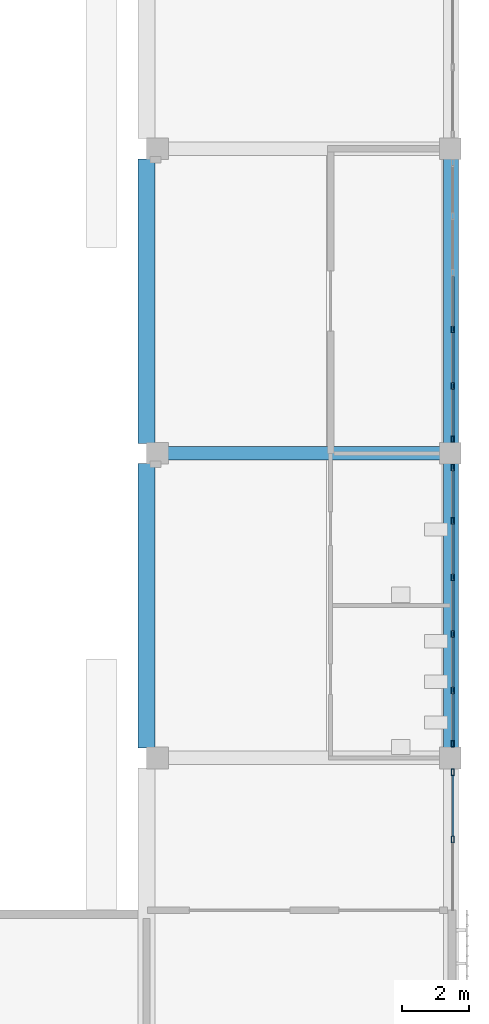
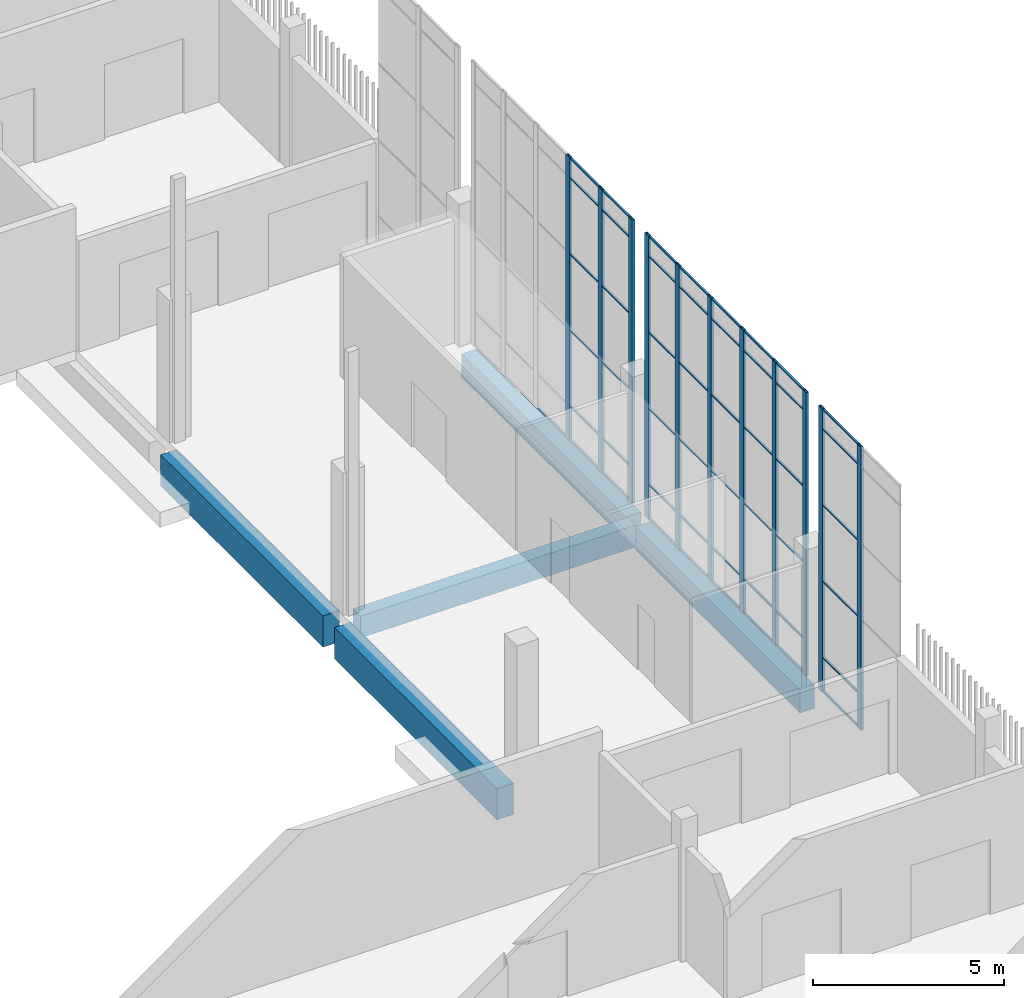
# One storey, part 26 of 91: 60 members, 5 beams, 3 elements without a shape of their own.
"""IFC4 building model written with IfcOpenShell, lengths in metres."""

from ifc_helpers import new_model, si_unit, direction, frame, origin, origin_2d, place, context, subcontext, project, spatial, rectangle, hollow_rectangle, extrude, material, layer, layer_set, material_profile, profile_set, type_object, element, aggregate, save


model = new_model("IFC4")

# Units and contexts
model_context = context("Model", 3, precision=1e-05, world=origin(), true_north=direction((0.0, 1.0)))
body_context = subcontext(model_context, "Body", "Model", "MODEL_VIEW")
ifc_project = project(units=[si_unit("LENGTHUNIT", "METRE"), si_unit("AREAUNIT", "SQUARE_METRE"), si_unit("VOLUMEUNIT", "CUBIC_METRE"), si_unit("PLANEANGLEUNIT", "RADIAN"), si_unit("MASSUNIT", "GRAM", prefix="KILO")], contexts=[model_context])

# Site, building, storey
site_placement = place(None, origin())
site = spatial("IfcSite", under=ifc_project, at=site_placement, CompositionType="ELEMENT")
building_placement = place(site_placement, origin())
building = spatial("IfcBuilding", under=site, at=building_placement, Name="Shirokan Park Arena", CompositionType="ELEMENT")
storey_placement = place(building_placement, frame((0.0, 0.0, 24.570068359375)))
storey = spatial("IfcBuildingStorey", under=building, at=storey_placement, Name="L05", CompositionType="ELEMENT", Elevation=24.570068359375)

# Curtain wall, members
ifc_material_1 = material(Name="Steel and glass curtain wall", Category="steel")
ifc_layer = layer(ifc_material_1, 0.199951171875)
ifc_layer_set = layer_set([ifc_layer], Name="Steel and glass curtain wall 200 mm")
curtain_wall_type = type_object("IfcCurtainWallType", Name="Curtain wall hall bay 200", PredefinedType="NOTDEFINED", material=ifc_layer_set)
curtain_wall_1_placement = place(storey_placement, origin())
curtain_wall_1 = element("IfcCurtainWall", 1, at=curtain_wall_1_placement, inside=storey, type_object=curtain_wall_type, Name="Curtain wall east bay 5 L05", PredefinedType="NOTDEFINED")
ifc_material_2 = material(Name="Steel S355", Category="steel")
ifc_material_profile_1 = material_profile(ifc_material_2, hollow_rectangle(XDim=0.080078125, YDim=0.199951171875, WallThickness=0.008056640625, at=origin_2d()), Name="RHS 200x80x8")
ifc_profile_set_1 = profile_set([ifc_material_profile_1], Name="Steel S355")
member_type_1 = type_object("IfcMemberType", Name="Mullion RHS 200x80x8", PredefinedType="MULLION", material=ifc_profile_set_1)
member_1_placement = place(storey_placement, frame((145.64990234375, 43.0625, 0.0), z_axis=(0.0, 0.0, 1.0), x_axis=(-1.0, 0.0, 0.0)))
member_1 = element("IfcMember", 2, at=member_1_placement, type_object=member_type_1, Name="CW5 mullion 2", PredefinedType="MULLION", context=body_context, shape_type="SweptSolid", body=[
    extrude(hollow_rectangle(XDim=0.080078125, YDim=0.199951171875, WallThickness=0.008056640625, at=origin_2d()), origin(), (0.0, 0.0, 1.0), 9.050048828125),
])
member_2_placement = place(storey_placement, frame((145.64990234375, 45.074951171875, 0.0), z_axis=(0.0, 0.0, 1.0), x_axis=(-1.0, 0.0, 0.0)))
member_2 = element("IfcMember", 3, at=member_2_placement, type_object=member_type_1, Name="CW5 mullion 3", PredefinedType="MULLION", context=body_context, shape_type="SweptSolid", body=[
    extrude(hollow_rectangle(XDim=0.080078125, YDim=0.199951171875, WallThickness=0.008056640625, at=origin_2d()), origin(), (0.0, 0.0, 1.0), 9.050048828125),
])

curtain_wall_2_placement = place(storey_placement, origin())
curtain_wall_2 = element("IfcCurtainWall", 4, at=curtain_wall_2_placement, inside=storey, type_object=curtain_wall_type, Name="Curtain wall east bay 6 L05", PredefinedType="NOTDEFINED")
member_3_placement = place(storey_placement, frame((145.64990234375, 45.925048828125, 0.0), z_axis=(0.0, 0.0, 1.0), x_axis=(-1.0, 0.0, 0.0)))
member_3 = element("IfcMember", 5, at=member_3_placement, type_object=member_type_1, Name="CW5 mullion 1", PredefinedType="MULLION", context=body_context, shape_type="SweptSolid", body=[
    extrude(hollow_rectangle(XDim=0.080078125, YDim=0.199951171875, WallThickness=0.008056640625, at=origin_2d()), origin(), (0.0, 0.0, 1.0), 9.050048828125),
])
member_4_placement = place(storey_placement, frame((145.64990234375, 47.514892578125, 0.0), z_axis=(0.0, 0.0, 1.0), x_axis=(-1.0, 0.0, 0.0)))
member_4 = element("IfcMember", 6, at=member_4_placement, type_object=member_type_1, Name="CW5 mullion 2", PredefinedType="MULLION", context=body_context, shape_type="SweptSolid", body=[
    extrude(hollow_rectangle(XDim=0.080078125, YDim=0.199951171875, WallThickness=0.008056640625, at=origin_2d()), origin(), (0.0, 0.0, 1.0), 9.050048828125),
])
member_5_placement = place(storey_placement, frame((145.64990234375, 49.205078125, 0.0), z_axis=(0.0, 0.0, 1.0), x_axis=(-1.0, 0.0, 0.0)))
member_5 = element("IfcMember", 7, at=member_5_placement, type_object=member_type_1, Name="CW5 mullion 3", PredefinedType="MULLION", context=body_context, shape_type="SweptSolid", body=[
    extrude(hollow_rectangle(XDim=0.080078125, YDim=0.199951171875, WallThickness=0.008056640625, at=origin_2d()), origin(), (0.0, 0.0, 1.0), 9.050048828125),
])
member_6_placement = place(storey_placement, frame((145.64990234375, 50.89501953125, 0.0), z_axis=(0.0, 0.0, 1.0), x_axis=(-1.0, 0.0, 0.0)))
member_6 = element("IfcMember", 8, at=member_6_placement, type_object=member_type_1, Name="CW5 mullion 4", PredefinedType="MULLION", context=body_context, shape_type="SweptSolid", body=[
    extrude(hollow_rectangle(XDim=0.080078125, YDim=0.199951171875, WallThickness=0.008056640625, at=origin_2d()), origin(), (0.0, 0.0, 1.0), 9.050048828125),
])
member_7_placement = place(storey_placement, frame((145.64990234375, 52.5849609375, 0.0), z_axis=(0.0, 0.0, 1.0), x_axis=(-1.0, 0.0, 0.0)))
member_7 = element("IfcMember", 9, at=member_7_placement, type_object=member_type_1, Name="CW5 mullion 5", PredefinedType="MULLION", context=body_context, shape_type="SweptSolid", body=[
    extrude(hollow_rectangle(XDim=0.080078125, YDim=0.199951171875, WallThickness=0.008056640625, at=origin_2d()), origin(), (0.0, 0.0, 1.0), 9.050048828125),
])
member_8_placement = place(storey_placement, frame((145.64990234375, 54.175048828125, 0.0), z_axis=(0.0, 0.0, 1.0), x_axis=(-1.0, 0.0, 0.0)))
member_8 = element("IfcMember", 10, at=member_8_placement, type_object=member_type_1, Name="CW5 mullion 6", PredefinedType="MULLION", context=body_context, shape_type="SweptSolid", body=[
    extrude(hollow_rectangle(XDim=0.080078125, YDim=0.199951171875, WallThickness=0.008056640625, at=origin_2d()), origin(), (0.0, 0.0, 1.0), 9.050048828125),
])

curtain_wall_3_placement = place(storey_placement, origin())
curtain_wall_3 = element("IfcCurtainWall", 11, at=curtain_wall_3_placement, inside=storey, type_object=curtain_wall_type, Name="Curtain wall east bay 7 L05", PredefinedType="NOTDEFINED")
member_9_placement = place(storey_placement, frame((145.64990234375, 55.02490234375, 0.0), z_axis=(0.0, 0.0, 1.0), x_axis=(-1.0, 0.0, 0.0)))
member_9 = element("IfcMember", 12, at=member_9_placement, type_object=member_type_1, Name="CW5 mullion 1", PredefinedType="MULLION", context=body_context, shape_type="SweptSolid", body=[
    extrude(hollow_rectangle(XDim=0.080078125, YDim=0.199951171875, WallThickness=0.008056640625, at=origin_2d()), origin(), (0.0, 0.0, 1.0), 9.050048828125),
])
member_10_placement = place(storey_placement, frame((145.64990234375, 56.614990234375, 0.0), z_axis=(0.0, 0.0, 1.0), x_axis=(-1.0, 0.0, 0.0)))
member_10 = element("IfcMember", 13, at=member_10_placement, type_object=member_type_1, Name="CW5 mullion 2", PredefinedType="MULLION", context=body_context, shape_type="SweptSolid", body=[
    extrude(hollow_rectangle(XDim=0.080078125, YDim=0.199951171875, WallThickness=0.008056640625, at=origin_2d()), origin(), (0.0, 0.0, 1.0), 9.050048828125),
])
member_11_placement = place(storey_placement, frame((145.64990234375, 58.304931640625, 0.0), z_axis=(0.0, 0.0, 1.0), x_axis=(-1.0, 0.0, 0.0)))
member_11 = element("IfcMember", 14, at=member_11_placement, type_object=member_type_1, Name="CW5 mullion 3", PredefinedType="MULLION", context=body_context, shape_type="SweptSolid", body=[
    extrude(hollow_rectangle(XDim=0.080078125, YDim=0.199951171875, WallThickness=0.008056640625, at=origin_2d()), origin(), (0.0, 0.0, 1.0), 9.050048828125),
])

# Beams
ifc_material_3 = material(Name="Concrete C35", Category="concrete")
ifc_material_profile_2 = material_profile(ifc_material_3, rectangle(XDim=0.39990234375, YDim=0.699951171875, at=origin_2d()), Name="400x700")
ifc_profile_set_2 = profile_set([ifc_material_profile_2], Name="Concrete C35")
beam_type_1 = type_object("IfcBeamType", Name="RC girder 400x700", PredefinedType="BEAM", material=ifc_profile_set_2)
beam_placement = place(storey_placement, frame((137.10009765625, 54.60009765625, -0.650146484375), z_axis=(1.0, 0.0, 0.0), x_axis=(0.0, 1.0, 0.0)))
element("IfcBeam", 15, at=beam_placement, inside=storey, type_object=beam_type_1, Name="Girder 16G-17G L05", PredefinedType="BEAM", context=body_context, shape_type="SweptSolid", body=[
    extrude(rectangle(XDim=0.39990234375, YDim=0.699951171875, at=origin_2d()), origin(), (0.0, 0.0, 1.0), 8.2998046875),
])
ifc_material_profile_3 = material_profile(ifc_material_3, rectangle(XDim=0.449951171875, YDim=0.75, at=origin_2d()), Name="450x750")
ifc_profile_set_3 = profile_set([ifc_material_profile_3], Name="Concrete C35")
beam_type_2 = type_object("IfcBeamType", Name="RC girder 450x750", PredefinedType="BEAM", material=ifc_profile_set_3)
for number, where, z_axis, x_axis, name in (
    (16, (145.60009765625, 45.75, -0.675048828125), (0.0, 1.0, 0.0), (-1.0, 0.0, 0.0), "Girder 17F-17G L05"),
    (17, (145.60009765625, 54.85009765625, -0.675048828125), (0.0, 1.0, 0.0), (-1.0, 0.0, 0.0), "Girder 17G-17H L05"),
):
    element("IfcBeam", number, at=place(storey_placement, frame(where, z_axis=z_axis, x_axis=x_axis)), inside=storey, type_object=beam_type_2, Name=name, PredefinedType="BEAM", context=body_context, shape_type="SweptSolid", body=[
        extrude(rectangle(XDim=0.449951171875, YDim=0.75, at=origin_2d()), origin(), (0.0, 0.0, 1.0), 8.599853515625),
    ])
ifc_material_profile_4 = material_profile(ifc_material_3, rectangle(XDim=0.5, YDim=1.0, at=origin_2d()), Name="500x1000")
ifc_profile_set_4 = profile_set([ifc_material_profile_4], Name="Concrete C35")
beam_type_3 = type_object("IfcBeamType", Name="RC girder 500x1000", PredefinedType="BEAM", material=ifc_profile_set_4)
for number, where, z_axis, x_axis, name in (
    (18, (136.5, 45.800048828125, -0.800048828125), (0.0, 1.0, 0.0), (-1.0, 0.0, 0.0), "Girder 16F-16G L05"),
    (19, (136.5, 54.900146484375, -0.800048828125), (0.0, 1.0, 0.0), (-1.0, 0.0, 0.0), "Girder 16G-16H L05"),
):
    element("IfcBeam", number, at=place(storey_placement, frame(where, z_axis=z_axis, x_axis=x_axis)), inside=storey, type_object=beam_type_3, Name=name, PredefinedType="BEAM", context=body_context, shape_type="SweptSolid", body=[
        extrude(rectangle(XDim=0.5, YDim=1.0, at=origin_2d()), origin(), (0.0, 0.0, 1.0), 8.499755859375),
    ])

# Member
ifc_material_profile_5 = material_profile(ifc_material_2, hollow_rectangle(XDim=0.06005859375, YDim=0.0400390625, WallThickness=0.00390625, at=origin_2d()), Name="RHS 60x40x4")
ifc_profile_set_5 = profile_set([ifc_material_profile_5], Name="Steel S355")
member_type_2 = type_object("IfcMemberType", Name="Transom RHS 60x40x4", PredefinedType="MULLION", material=ifc_profile_set_5)
member_12_placement = place(storey_placement, frame((145.64990234375, 43.16259765625, 0.02001953125), z_axis=(0.0, 1.0, 0.0), x_axis=(-1.0, 0.0, 0.0)))
member_12 = element("IfcMember", 20, at=member_12_placement, type_object=member_type_2, Name="CW5 transom 2.1", PredefinedType="MULLION", context=body_context, shape_type="SweptSolid", body=[
    extrude(hollow_rectangle(XDim=0.06005859375, YDim=0.0400390625, WallThickness=0.00390625, at=origin_2d()), origin(), (0.0, 0.0, 1.0), 1.8125),
])

member_13_placement = place(storey_placement, frame((145.64990234375, 43.16259765625, 1.099853515625), z_axis=(0.0, 1.0, 0.0), x_axis=(-1.0, 0.0, 0.0)))
member_13 = element("IfcMember", 21, at=member_13_placement, type_object=member_type_2, Name="CW5 transom 2.2", PredefinedType="MULLION", context=body_context, shape_type="SweptSolid", body=[
    extrude(hollow_rectangle(XDim=0.06005859375, YDim=0.0400390625, WallThickness=0.00390625, at=origin_2d()), origin(), (0.0, 0.0, 1.0), 1.8125),
])

member_14_placement = place(storey_placement, frame((145.64990234375, 43.16259765625, 3.533203125), z_axis=(0.0, 1.0, 0.0), x_axis=(-1.0, 0.0, 0.0)))
member_14 = element("IfcMember", 22, at=member_14_placement, type_object=member_type_2, Name="CW5 transom 2.3", PredefinedType="MULLION", context=body_context, shape_type="SweptSolid", body=[
    extrude(hollow_rectangle(XDim=0.06005859375, YDim=0.0400390625, WallThickness=0.00390625, at=origin_2d()), origin(), (0.0, 0.0, 1.0), 1.8125),
])

member_15_placement = place(storey_placement, frame((145.64990234375, 43.16259765625, 5.966552734375), z_axis=(0.0, 1.0, 0.0), x_axis=(-1.0, 0.0, 0.0)))
member_15 = element("IfcMember", 23, at=member_15_placement, type_object=member_type_2, Name="CW5 transom 2.4", PredefinedType="MULLION", context=body_context, shape_type="SweptSolid", body=[
    extrude(hollow_rectangle(XDim=0.06005859375, YDim=0.0400390625, WallThickness=0.00390625, at=origin_2d()), origin(), (0.0, 0.0, 1.0), 1.8125),
])

member_16_placement = place(storey_placement, frame((145.64990234375, 43.16259765625, 8.39990234375), z_axis=(0.0, 1.0, 0.0), x_axis=(-1.0, 0.0, 0.0)))
member_16 = element("IfcMember", 24, at=member_16_placement, type_object=member_type_2, Name="CW5 transom 2.5", PredefinedType="MULLION", context=body_context, shape_type="SweptSolid", body=[
    extrude(hollow_rectangle(XDim=0.06005859375, YDim=0.0400390625, WallThickness=0.00390625, at=origin_2d()), origin(), (0.0, 0.0, 1.0), 1.8125),
])

member_17_placement = place(storey_placement, frame((145.64990234375, 43.16259765625, 9.030029296875), z_axis=(0.0, 1.0, 0.0), x_axis=(-1.0, 0.0, 0.0)))
member_17 = element("IfcMember", 25, at=member_17_placement, type_object=member_type_2, Name="CW5 transom 2.6", PredefinedType="MULLION", context=body_context, shape_type="SweptSolid", body=[
    extrude(hollow_rectangle(XDim=0.06005859375, YDim=0.0400390625, WallThickness=0.00390625, at=origin_2d()), origin(), (0.0, 0.0, 1.0), 1.8125),
])

aggregate(curtain_wall_1, [member_1, member_2, member_12, member_13, member_14, member_15, member_16, member_17])

member_18_placement = place(storey_placement, frame((145.64990234375, 46.02490234375, 0.02001953125), z_axis=(0.0, 1.0, 0.0), x_axis=(-1.0, 0.0, 0.0)))
member_18 = element("IfcMember", 26, at=member_18_placement, type_object=member_type_2, Name="CW5 transom 1.1", PredefinedType="MULLION", context=body_context, shape_type="SweptSolid", body=[
    extrude(hollow_rectangle(XDim=0.06005859375, YDim=0.0400390625, WallThickness=0.00390625, at=origin_2d()), origin(), (0.0, 0.0, 1.0), 1.39013671875),
])

member_19_placement = place(storey_placement, frame((145.64990234375, 46.02490234375, 1.099853515625), z_axis=(0.0, 1.0, 0.0), x_axis=(-1.0, 0.0, 0.0)))
member_19 = element("IfcMember", 27, at=member_19_placement, type_object=member_type_2, Name="CW5 transom 1.2", PredefinedType="MULLION", context=body_context, shape_type="SweptSolid", body=[
    extrude(hollow_rectangle(XDim=0.06005859375, YDim=0.0400390625, WallThickness=0.00390625, at=origin_2d()), origin(), (0.0, 0.0, 1.0), 1.39013671875),
])

member_20_placement = place(storey_placement, frame((145.64990234375, 46.02490234375, 3.533203125), z_axis=(0.0, 1.0, 0.0), x_axis=(-1.0, 0.0, 0.0)))
member_20 = element("IfcMember", 28, at=member_20_placement, type_object=member_type_2, Name="CW5 transom 1.3", PredefinedType="MULLION", context=body_context, shape_type="SweptSolid", body=[
    extrude(hollow_rectangle(XDim=0.06005859375, YDim=0.0400390625, WallThickness=0.00390625, at=origin_2d()), origin(), (0.0, 0.0, 1.0), 1.39013671875),
])

member_21_placement = place(storey_placement, frame((145.64990234375, 46.02490234375, 5.966552734375), z_axis=(0.0, 1.0, 0.0), x_axis=(-1.0, 0.0, 0.0)))
member_21 = element("IfcMember", 29, at=member_21_placement, type_object=member_type_2, Name="CW5 transom 1.4", PredefinedType="MULLION", context=body_context, shape_type="SweptSolid", body=[
    extrude(hollow_rectangle(XDim=0.06005859375, YDim=0.0400390625, WallThickness=0.00390625, at=origin_2d()), origin(), (0.0, 0.0, 1.0), 1.39013671875),
])

member_22_placement = place(storey_placement, frame((145.64990234375, 46.02490234375, 8.39990234375), z_axis=(0.0, 1.0, 0.0), x_axis=(-1.0, 0.0, 0.0)))
member_22 = element("IfcMember", 30, at=member_22_placement, type_object=member_type_2, Name="CW5 transom 1.5", PredefinedType="MULLION", context=body_context, shape_type="SweptSolid", body=[
    extrude(hollow_rectangle(XDim=0.06005859375, YDim=0.0400390625, WallThickness=0.00390625, at=origin_2d()), origin(), (0.0, 0.0, 1.0), 1.39013671875),
])

member_23_placement = place(storey_placement, frame((145.64990234375, 46.02490234375, 9.030029296875), z_axis=(0.0, 1.0, 0.0), x_axis=(-1.0, 0.0, 0.0)))
member_23 = element("IfcMember", 31, at=member_23_placement, type_object=member_type_2, Name="CW5 transom 1.6", PredefinedType="MULLION", context=body_context, shape_type="SweptSolid", body=[
    extrude(hollow_rectangle(XDim=0.06005859375, YDim=0.0400390625, WallThickness=0.00390625, at=origin_2d()), origin(), (0.0, 0.0, 1.0), 1.39013671875),
])

member_24_placement = place(storey_placement, frame((145.64990234375, 47.614990234375, 0.02001953125), z_axis=(0.0, 1.0, 0.0), x_axis=(-1.0, 0.0, 0.0)))
member_24 = element("IfcMember", 32, at=member_24_placement, type_object=member_type_2, Name="CW5 transom 2.1", PredefinedType="MULLION", context=body_context, shape_type="SweptSolid", body=[
    extrude(hollow_rectangle(XDim=0.06005859375, YDim=0.0400390625, WallThickness=0.00390625, at=origin_2d()), origin(), (0.0, 0.0, 1.0), 1.489990234375),
])

member_25_placement = place(storey_placement, frame((145.64990234375, 47.614990234375, 1.099853515625), z_axis=(0.0, 1.0, 0.0), x_axis=(-1.0, 0.0, 0.0)))
member_25 = element("IfcMember", 33, at=member_25_placement, type_object=member_type_2, Name="CW5 transom 2.2", PredefinedType="MULLION", context=body_context, shape_type="SweptSolid", body=[
    extrude(hollow_rectangle(XDim=0.06005859375, YDim=0.0400390625, WallThickness=0.00390625, at=origin_2d()), origin(), (0.0, 0.0, 1.0), 1.489990234375),
])

member_26_placement = place(storey_placement, frame((145.64990234375, 47.614990234375, 3.533203125), z_axis=(0.0, 1.0, 0.0), x_axis=(-1.0, 0.0, 0.0)))
member_26 = element("IfcMember", 34, at=member_26_placement, type_object=member_type_2, Name="CW5 transom 2.3", PredefinedType="MULLION", context=body_context, shape_type="SweptSolid", body=[
    extrude(hollow_rectangle(XDim=0.06005859375, YDim=0.0400390625, WallThickness=0.00390625, at=origin_2d()), origin(), (0.0, 0.0, 1.0), 1.489990234375),
])

member_27_placement = place(storey_placement, frame((145.64990234375, 47.614990234375, 5.966552734375), z_axis=(0.0, 1.0, 0.0), x_axis=(-1.0, 0.0, 0.0)))
member_27 = element("IfcMember", 35, at=member_27_placement, type_object=member_type_2, Name="CW5 transom 2.4", PredefinedType="MULLION", context=body_context, shape_type="SweptSolid", body=[
    extrude(hollow_rectangle(XDim=0.06005859375, YDim=0.0400390625, WallThickness=0.00390625, at=origin_2d()), origin(), (0.0, 0.0, 1.0), 1.489990234375),
])

member_28_placement = place(storey_placement, frame((145.64990234375, 47.614990234375, 8.39990234375), z_axis=(0.0, 1.0, 0.0), x_axis=(-1.0, 0.0, 0.0)))
member_28 = element("IfcMember", 36, at=member_28_placement, type_object=member_type_2, Name="CW5 transom 2.5", PredefinedType="MULLION", context=body_context, shape_type="SweptSolid", body=[
    extrude(hollow_rectangle(XDim=0.06005859375, YDim=0.0400390625, WallThickness=0.00390625, at=origin_2d()), origin(), (0.0, 0.0, 1.0), 1.489990234375),
])

member_29_placement = place(storey_placement, frame((145.64990234375, 47.614990234375, 9.030029296875), z_axis=(0.0, 1.0, 0.0), x_axis=(-1.0, 0.0, 0.0)))
member_29 = element("IfcMember", 37, at=member_29_placement, type_object=member_type_2, Name="CW5 transom 2.6", PredefinedType="MULLION", context=body_context, shape_type="SweptSolid", body=[
    extrude(hollow_rectangle(XDim=0.06005859375, YDim=0.0400390625, WallThickness=0.00390625, at=origin_2d()), origin(), (0.0, 0.0, 1.0), 1.489990234375),
])

member_30_placement = place(storey_placement, frame((145.64990234375, 49.304931640625, 0.02001953125), z_axis=(0.0, 1.0, 0.0), x_axis=(-1.0, 0.0, 0.0)))
member_30 = element("IfcMember", 38, at=member_30_placement, type_object=member_type_2, Name="CW5 transom 3.1", PredefinedType="MULLION", context=body_context, shape_type="SweptSolid", body=[
    extrude(hollow_rectangle(XDim=0.06005859375, YDim=0.0400390625, WallThickness=0.00390625, at=origin_2d()), origin(), (0.0, 0.0, 1.0), 1.489990234375),
])

member_31_placement = place(storey_placement, frame((145.64990234375, 49.304931640625, 1.099853515625), z_axis=(0.0, 1.0, 0.0), x_axis=(-1.0, 0.0, 0.0)))
member_31 = element("IfcMember", 39, at=member_31_placement, type_object=member_type_2, Name="CW5 transom 3.2", PredefinedType="MULLION", context=body_context, shape_type="SweptSolid", body=[
    extrude(hollow_rectangle(XDim=0.06005859375, YDim=0.0400390625, WallThickness=0.00390625, at=origin_2d()), origin(), (0.0, 0.0, 1.0), 1.489990234375),
])

member_32_placement = place(storey_placement, frame((145.64990234375, 49.304931640625, 3.533203125), z_axis=(0.0, 1.0, 0.0), x_axis=(-1.0, 0.0, 0.0)))
member_32 = element("IfcMember", 40, at=member_32_placement, type_object=member_type_2, Name="CW5 transom 3.3", PredefinedType="MULLION", context=body_context, shape_type="SweptSolid", body=[
    extrude(hollow_rectangle(XDim=0.06005859375, YDim=0.0400390625, WallThickness=0.00390625, at=origin_2d()), origin(), (0.0, 0.0, 1.0), 1.489990234375),
])

member_33_placement = place(storey_placement, frame((145.64990234375, 49.304931640625, 5.966552734375), z_axis=(0.0, 1.0, 0.0), x_axis=(-1.0, 0.0, 0.0)))
member_33 = element("IfcMember", 41, at=member_33_placement, type_object=member_type_2, Name="CW5 transom 3.4", PredefinedType="MULLION", context=body_context, shape_type="SweptSolid", body=[
    extrude(hollow_rectangle(XDim=0.06005859375, YDim=0.0400390625, WallThickness=0.00390625, at=origin_2d()), origin(), (0.0, 0.0, 1.0), 1.489990234375),
])

member_34_placement = place(storey_placement, frame((145.64990234375, 49.304931640625, 8.39990234375), z_axis=(0.0, 1.0, 0.0), x_axis=(-1.0, 0.0, 0.0)))
member_34 = element("IfcMember", 42, at=member_34_placement, type_object=member_type_2, Name="CW5 transom 3.5", PredefinedType="MULLION", context=body_context, shape_type="SweptSolid", body=[
    extrude(hollow_rectangle(XDim=0.06005859375, YDim=0.0400390625, WallThickness=0.00390625, at=origin_2d()), origin(), (0.0, 0.0, 1.0), 1.489990234375),
])

member_35_placement = place(storey_placement, frame((145.64990234375, 49.304931640625, 9.030029296875), z_axis=(0.0, 1.0, 0.0), x_axis=(-1.0, 0.0, 0.0)))
member_35 = element("IfcMember", 43, at=member_35_placement, type_object=member_type_2, Name="CW5 transom 3.6", PredefinedType="MULLION", context=body_context, shape_type="SweptSolid", body=[
    extrude(hollow_rectangle(XDim=0.06005859375, YDim=0.0400390625, WallThickness=0.00390625, at=origin_2d()), origin(), (0.0, 0.0, 1.0), 1.489990234375),
])

member_36_placement = place(storey_placement, frame((145.64990234375, 50.9951171875, 0.02001953125), z_axis=(0.0, 1.0, 0.0), x_axis=(-1.0, 0.0, 0.0)))
member_36 = element("IfcMember", 44, at=member_36_placement, type_object=member_type_2, Name="CW5 transom 4.1", PredefinedType="MULLION", context=body_context, shape_type="SweptSolid", body=[
    extrude(hollow_rectangle(XDim=0.06005859375, YDim=0.0400390625, WallThickness=0.00390625, at=origin_2d()), origin(), (0.0, 0.0, 1.0), 1.489990234375),
])

member_37_placement = place(storey_placement, frame((145.64990234375, 50.9951171875, 1.099853515625), z_axis=(0.0, 1.0, 0.0), x_axis=(-1.0, 0.0, 0.0)))
member_37 = element("IfcMember", 45, at=member_37_placement, type_object=member_type_2, Name="CW5 transom 4.2", PredefinedType="MULLION", context=body_context, shape_type="SweptSolid", body=[
    extrude(hollow_rectangle(XDim=0.06005859375, YDim=0.0400390625, WallThickness=0.00390625, at=origin_2d()), origin(), (0.0, 0.0, 1.0), 1.489990234375),
])

member_38_placement = place(storey_placement, frame((145.64990234375, 50.9951171875, 3.533203125), z_axis=(0.0, 1.0, 0.0), x_axis=(-1.0, 0.0, 0.0)))
member_38 = element("IfcMember", 46, at=member_38_placement, type_object=member_type_2, Name="CW5 transom 4.3", PredefinedType="MULLION", context=body_context, shape_type="SweptSolid", body=[
    extrude(hollow_rectangle(XDim=0.06005859375, YDim=0.0400390625, WallThickness=0.00390625, at=origin_2d()), origin(), (0.0, 0.0, 1.0), 1.489990234375),
])

member_39_placement = place(storey_placement, frame((145.64990234375, 50.9951171875, 5.966552734375), z_axis=(0.0, 1.0, 0.0), x_axis=(-1.0, 0.0, 0.0)))
member_39 = element("IfcMember", 47, at=member_39_placement, type_object=member_type_2, Name="CW5 transom 4.4", PredefinedType="MULLION", context=body_context, shape_type="SweptSolid", body=[
    extrude(hollow_rectangle(XDim=0.06005859375, YDim=0.0400390625, WallThickness=0.00390625, at=origin_2d()), origin(), (0.0, 0.0, 1.0), 1.489990234375),
])

member_40_placement = place(storey_placement, frame((145.64990234375, 50.9951171875, 8.39990234375), z_axis=(0.0, 1.0, 0.0), x_axis=(-1.0, 0.0, 0.0)))
member_40 = element("IfcMember", 48, at=member_40_placement, type_object=member_type_2, Name="CW5 transom 4.5", PredefinedType="MULLION", context=body_context, shape_type="SweptSolid", body=[
    extrude(hollow_rectangle(XDim=0.06005859375, YDim=0.0400390625, WallThickness=0.00390625, at=origin_2d()), origin(), (0.0, 0.0, 1.0), 1.489990234375),
])

member_41_placement = place(storey_placement, frame((145.64990234375, 50.9951171875, 9.030029296875), z_axis=(0.0, 1.0, 0.0), x_axis=(-1.0, 0.0, 0.0)))
member_41 = element("IfcMember", 49, at=member_41_placement, type_object=member_type_2, Name="CW5 transom 4.6", PredefinedType="MULLION", context=body_context, shape_type="SweptSolid", body=[
    extrude(hollow_rectangle(XDim=0.06005859375, YDim=0.0400390625, WallThickness=0.00390625, at=origin_2d()), origin(), (0.0, 0.0, 1.0), 1.489990234375),
])

member_42_placement = place(storey_placement, frame((145.64990234375, 52.68505859375, 0.02001953125), z_axis=(0.0, 1.0, 0.0), x_axis=(-1.0, 0.0, 0.0)))
member_42 = element("IfcMember", 50, at=member_42_placement, type_object=member_type_2, Name="CW5 transom 5.1", PredefinedType="MULLION", context=body_context, shape_type="SweptSolid", body=[
    extrude(hollow_rectangle(XDim=0.06005859375, YDim=0.0400390625, WallThickness=0.00390625, at=origin_2d()), origin(), (0.0, 0.0, 1.0), 1.389892578125),
])

member_43_placement = place(storey_placement, frame((145.64990234375, 52.68505859375, 1.099853515625), z_axis=(0.0, 1.0, 0.0), x_axis=(-1.0, 0.0, 0.0)))
member_43 = element("IfcMember", 51, at=member_43_placement, type_object=member_type_2, Name="CW5 transom 5.2", PredefinedType="MULLION", context=body_context, shape_type="SweptSolid", body=[
    extrude(hollow_rectangle(XDim=0.06005859375, YDim=0.0400390625, WallThickness=0.00390625, at=origin_2d()), origin(), (0.0, 0.0, 1.0), 1.389892578125),
])

member_44_placement = place(storey_placement, frame((145.64990234375, 52.68505859375, 3.533203125), z_axis=(0.0, 1.0, 0.0), x_axis=(-1.0, 0.0, 0.0)))
member_44 = element("IfcMember", 52, at=member_44_placement, type_object=member_type_2, Name="CW5 transom 5.3", PredefinedType="MULLION", context=body_context, shape_type="SweptSolid", body=[
    extrude(hollow_rectangle(XDim=0.06005859375, YDim=0.0400390625, WallThickness=0.00390625, at=origin_2d()), origin(), (0.0, 0.0, 1.0), 1.389892578125),
])

member_45_placement = place(storey_placement, frame((145.64990234375, 52.68505859375, 5.966552734375), z_axis=(0.0, 1.0, 0.0), x_axis=(-1.0, 0.0, 0.0)))
member_45 = element("IfcMember", 53, at=member_45_placement, type_object=member_type_2, Name="CW5 transom 5.4", PredefinedType="MULLION", context=body_context, shape_type="SweptSolid", body=[
    extrude(hollow_rectangle(XDim=0.06005859375, YDim=0.0400390625, WallThickness=0.00390625, at=origin_2d()), origin(), (0.0, 0.0, 1.0), 1.389892578125),
])

member_46_placement = place(storey_placement, frame((145.64990234375, 52.68505859375, 8.39990234375), z_axis=(0.0, 1.0, 0.0), x_axis=(-1.0, 0.0, 0.0)))
member_46 = element("IfcMember", 54, at=member_46_placement, type_object=member_type_2, Name="CW5 transom 5.5", PredefinedType="MULLION", context=body_context, shape_type="SweptSolid", body=[
    extrude(hollow_rectangle(XDim=0.06005859375, YDim=0.0400390625, WallThickness=0.00390625, at=origin_2d()), origin(), (0.0, 0.0, 1.0), 1.389892578125),
])

member_47_placement = place(storey_placement, frame((145.64990234375, 52.68505859375, 9.030029296875), z_axis=(0.0, 1.0, 0.0), x_axis=(-1.0, 0.0, 0.0)))
member_47 = element("IfcMember", 55, at=member_47_placement, type_object=member_type_2, Name="CW5 transom 5.6", PredefinedType="MULLION", context=body_context, shape_type="SweptSolid", body=[
    extrude(hollow_rectangle(XDim=0.06005859375, YDim=0.0400390625, WallThickness=0.00390625, at=origin_2d()), origin(), (0.0, 0.0, 1.0), 1.389892578125),
])

aggregate(curtain_wall_2, [member_3, member_4, member_5, member_6, member_7, member_8, member_18, member_19, member_20, member_21, member_22, member_23, member_24, member_25, member_26, member_27, member_28, member_29, member_30, member_31, member_32, member_33, member_34, member_35, member_36, member_37, member_38, member_39, member_40, member_41, member_42, member_43, member_44, member_45, member_46, member_47])

member_48_placement = place(storey_placement, frame((145.64990234375, 55.125, 0.02001953125), z_axis=(0.0, 1.0, 0.0), x_axis=(-1.0, 0.0, 0.0)))
member_48 = element("IfcMember", 56, at=member_48_placement, type_object=member_type_2, Name="CW5 transom 1.1", PredefinedType="MULLION", context=body_context, shape_type="SweptSolid", body=[
    extrude(hollow_rectangle(XDim=0.06005859375, YDim=0.0400390625, WallThickness=0.00390625, at=origin_2d()), origin(), (0.0, 0.0, 1.0), 1.389892578125),
])

member_49_placement = place(storey_placement, frame((145.64990234375, 55.125, 1.099853515625), z_axis=(0.0, 1.0, 0.0), x_axis=(-1.0, 0.0, 0.0)))
member_49 = element("IfcMember", 57, at=member_49_placement, type_object=member_type_2, Name="CW5 transom 1.2", PredefinedType="MULLION", context=body_context, shape_type="SweptSolid", body=[
    extrude(hollow_rectangle(XDim=0.06005859375, YDim=0.0400390625, WallThickness=0.00390625, at=origin_2d()), origin(), (0.0, 0.0, 1.0), 1.389892578125),
])

member_50_placement = place(storey_placement, frame((145.64990234375, 55.125, 3.533203125), z_axis=(0.0, 1.0, 0.0), x_axis=(-1.0, 0.0, 0.0)))
member_50 = element("IfcMember", 58, at=member_50_placement, type_object=member_type_2, Name="CW5 transom 1.3", PredefinedType="MULLION", context=body_context, shape_type="SweptSolid", body=[
    extrude(hollow_rectangle(XDim=0.06005859375, YDim=0.0400390625, WallThickness=0.00390625, at=origin_2d()), origin(), (0.0, 0.0, 1.0), 1.389892578125),
])

member_51_placement = place(storey_placement, frame((145.64990234375, 55.125, 5.966552734375), z_axis=(0.0, 1.0, 0.0), x_axis=(-1.0, 0.0, 0.0)))
member_51 = element("IfcMember", 59, at=member_51_placement, type_object=member_type_2, Name="CW5 transom 1.4", PredefinedType="MULLION", context=body_context, shape_type="SweptSolid", body=[
    extrude(hollow_rectangle(XDim=0.06005859375, YDim=0.0400390625, WallThickness=0.00390625, at=origin_2d()), origin(), (0.0, 0.0, 1.0), 1.389892578125),
])

member_52_placement = place(storey_placement, frame((145.64990234375, 55.125, 8.39990234375), z_axis=(0.0, 1.0, 0.0), x_axis=(-1.0, 0.0, 0.0)))
member_52 = element("IfcMember", 60, at=member_52_placement, type_object=member_type_2, Name="CW5 transom 1.5", PredefinedType="MULLION", context=body_context, shape_type="SweptSolid", body=[
    extrude(hollow_rectangle(XDim=0.06005859375, YDim=0.0400390625, WallThickness=0.00390625, at=origin_2d()), origin(), (0.0, 0.0, 1.0), 1.389892578125),
])

member_53_placement = place(storey_placement, frame((145.64990234375, 55.125, 9.030029296875), z_axis=(0.0, 1.0, 0.0), x_axis=(-1.0, 0.0, 0.0)))
member_53 = element("IfcMember", 61, at=member_53_placement, type_object=member_type_2, Name="CW5 transom 1.6", PredefinedType="MULLION", context=body_context, shape_type="SweptSolid", body=[
    extrude(hollow_rectangle(XDim=0.06005859375, YDim=0.0400390625, WallThickness=0.00390625, at=origin_2d()), origin(), (0.0, 0.0, 1.0), 1.389892578125),
])

member_54_placement = place(storey_placement, frame((145.64990234375, 56.715087890625, 0.02001953125), z_axis=(0.0, 1.0, 0.0), x_axis=(-1.0, 0.0, 0.0)))
member_54 = element("IfcMember", 62, at=member_54_placement, type_object=member_type_2, Name="CW5 transom 2.1", PredefinedType="MULLION", context=body_context, shape_type="SweptSolid", body=[
    extrude(hollow_rectangle(XDim=0.06005859375, YDim=0.0400390625, WallThickness=0.00390625, at=origin_2d()), origin(), (0.0, 0.0, 1.0), 1.489990234375),
])

member_55_placement = place(storey_placement, frame((145.64990234375, 56.715087890625, 1.099853515625), z_axis=(0.0, 1.0, 0.0), x_axis=(-1.0, 0.0, 0.0)))
member_55 = element("IfcMember", 63, at=member_55_placement, type_object=member_type_2, Name="CW5 transom 2.2", PredefinedType="MULLION", context=body_context, shape_type="SweptSolid", body=[
    extrude(hollow_rectangle(XDim=0.06005859375, YDim=0.0400390625, WallThickness=0.00390625, at=origin_2d()), origin(), (0.0, 0.0, 1.0), 1.489990234375),
])

member_56_placement = place(storey_placement, frame((145.64990234375, 56.715087890625, 3.533203125), z_axis=(0.0, 1.0, 0.0), x_axis=(-1.0, 0.0, 0.0)))
member_56 = element("IfcMember", 64, at=member_56_placement, type_object=member_type_2, Name="CW5 transom 2.3", PredefinedType="MULLION", context=body_context, shape_type="SweptSolid", body=[
    extrude(hollow_rectangle(XDim=0.06005859375, YDim=0.0400390625, WallThickness=0.00390625, at=origin_2d()), origin(), (0.0, 0.0, 1.0), 1.489990234375),
])

member_57_placement = place(storey_placement, frame((145.64990234375, 56.715087890625, 5.966552734375), z_axis=(0.0, 1.0, 0.0), x_axis=(-1.0, 0.0, 0.0)))
member_57 = element("IfcMember", 65, at=member_57_placement, type_object=member_type_2, Name="CW5 transom 2.4", PredefinedType="MULLION", context=body_context, shape_type="SweptSolid", body=[
    extrude(hollow_rectangle(XDim=0.06005859375, YDim=0.0400390625, WallThickness=0.00390625, at=origin_2d()), origin(), (0.0, 0.0, 1.0), 1.489990234375),
])

member_58_placement = place(storey_placement, frame((145.64990234375, 56.715087890625, 8.39990234375), z_axis=(0.0, 1.0, 0.0), x_axis=(-1.0, 0.0, 0.0)))
member_58 = element("IfcMember", 66, at=member_58_placement, type_object=member_type_2, Name="CW5 transom 2.5", PredefinedType="MULLION", context=body_context, shape_type="SweptSolid", body=[
    extrude(hollow_rectangle(XDim=0.06005859375, YDim=0.0400390625, WallThickness=0.00390625, at=origin_2d()), origin(), (0.0, 0.0, 1.0), 1.489990234375),
])

member_59_placement = place(storey_placement, frame((145.64990234375, 56.715087890625, 9.030029296875), z_axis=(0.0, 1.0, 0.0), x_axis=(-1.0, 0.0, 0.0)))
member_59 = element("IfcMember", 67, at=member_59_placement, type_object=member_type_2, Name="CW5 transom 2.6", PredefinedType="MULLION", context=body_context, shape_type="SweptSolid", body=[
    extrude(hollow_rectangle(XDim=0.06005859375, YDim=0.0400390625, WallThickness=0.00390625, at=origin_2d()), origin(), (0.0, 0.0, 1.0), 1.489990234375),
])

member_60_placement = place(storey_placement, frame((145.64990234375, 58.405029296875, 0.02001953125), z_axis=(0.0, 1.0, 0.0), x_axis=(-1.0, 0.0, 0.0)))
member_60 = element("IfcMember", 68, at=member_60_placement, type_object=member_type_2, Name="CW5 transom 3.1", PredefinedType="MULLION", context=body_context, shape_type="SweptSolid", body=[
    extrude(hollow_rectangle(XDim=0.06005859375, YDim=0.0400390625, WallThickness=0.00390625, at=origin_2d()), origin(), (0.0, 0.0, 1.0), 1.489990234375),
])

aggregate(curtain_wall_3, [member_9, member_10, member_11, member_48, member_49, member_50, member_51, member_52, member_53, member_54, member_55, member_56, member_57, member_58, member_59, member_60])

save(model, "model.ifc")
